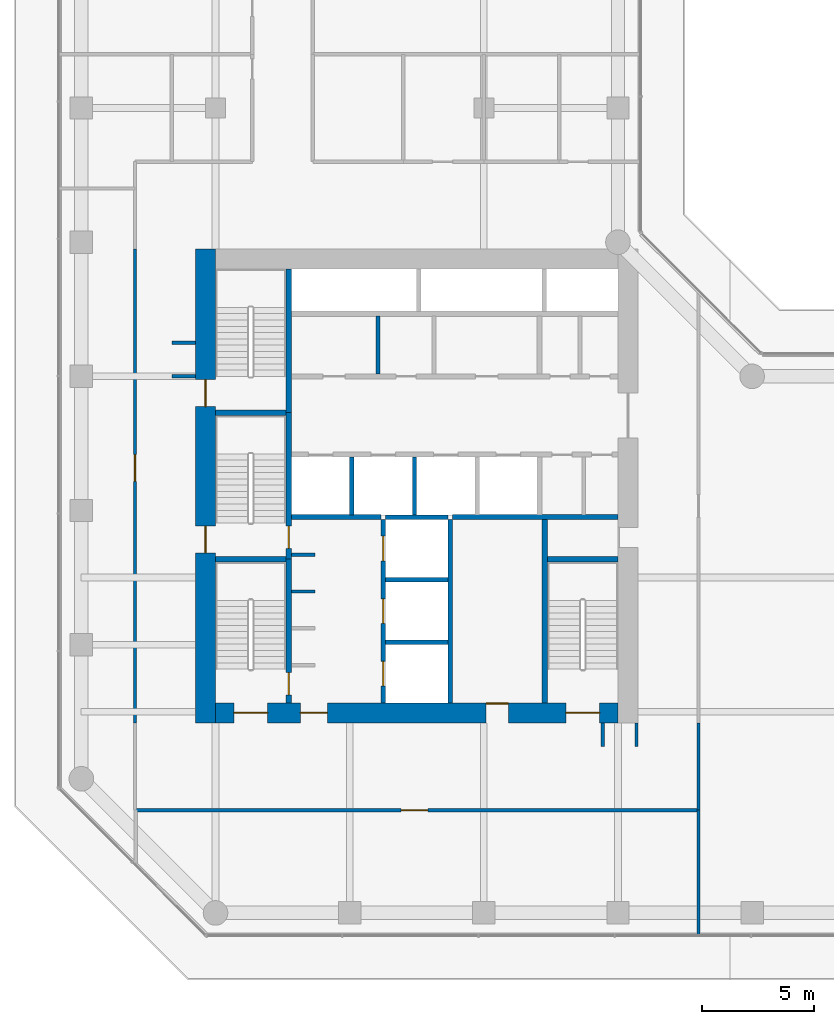
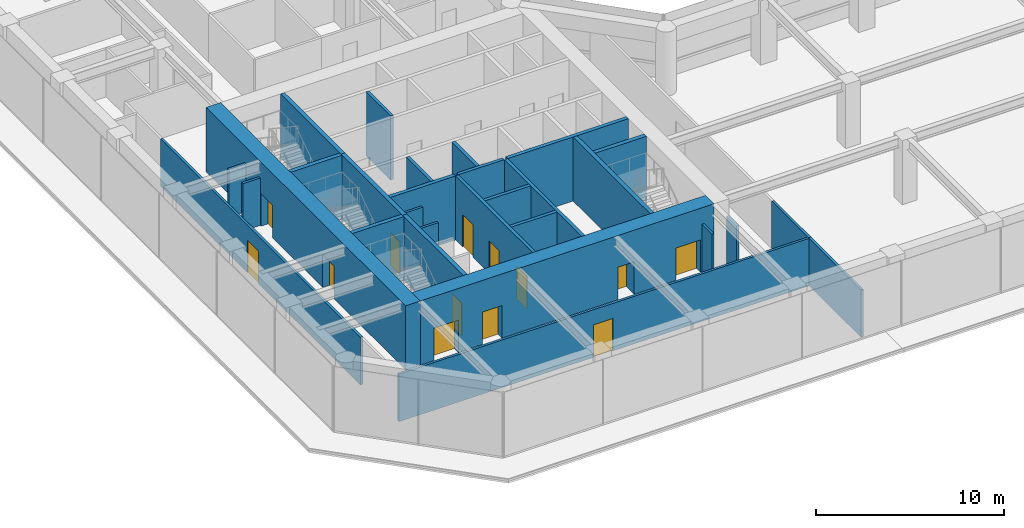
# One storey, part 21 of 24: 29 walls, 13 doors, 13 openings.
"""IFC4 building model written with IfcOpenShell, lengths in metres."""

from ifc_helpers import new_model, si_unit, direction, frame, frame_2d, origin, place, context, subcontext, project, spatial, rectangle, extrude, material, layer, layer_set, type_object, element, fill, save


model = new_model("IFC4")

# Units and contexts
model_context = context("Model", 3, precision=1e-05, world=origin(), true_north=direction((0.0, 1.0)))
body_context = subcontext(model_context, "Body", "Model", "MODEL_VIEW")
ifc_project = project(units=[si_unit("LENGTHUNIT", "METRE"), si_unit("AREAUNIT", "SQUARE_METRE"), si_unit("VOLUMEUNIT", "CUBIC_METRE"), si_unit("PLANEANGLEUNIT", "RADIAN"), si_unit("MASSUNIT", "GRAM", prefix="KILO")], contexts=[model_context])

# Site, building, storey
site_placement = place(None, origin())
site = spatial("IfcSite", under=ifc_project, at=site_placement, CompositionType="ELEMENT")
building_placement = place(site_placement, origin())
building = spatial("IfcBuilding", under=site, at=building_placement, Name="Welwitschia Terrace Campus", CompositionType="ELEMENT")
storey_placement = place(building_placement, frame((0.0, 0.0, 15.5)))
storey = spatial("IfcBuildingStorey", under=building, at=storey_placement, Name="L03", CompositionType="ELEMENT", Elevation=15.5)

# Walls
ifc_material_1 = material(Name="Concrete C32/40", Category="concrete")
ifc_layer_1 = layer(ifc_material_1, 0.175048828125)
ifc_layer_set_1 = layer_set([ifc_layer_1], Name="Concrete C32/40")
wall_type_1 = type_object("IfcWallType", Name="Core partition 175 Concrete C32/40", PredefinedType="PARTITIONING", material=ifc_layer_set_1)
wall_1_placement = place(storey_placement, frame((13.27490234375, 20.10009765625, 0.0), z_axis=(0.0, 0.0, 1.0), x_axis=(0.0, 1.0, 0.0)))
element("IfcWall", 1, at=wall_1_placement, inside=storey, type_object=wall_type_1, Name="Core partition", PredefinedType="PARTITIONING", context=body_context, shape_type="SweptSolid", body=[
    extrude(rectangle(XDim=2.599853515625, YDim=0.175048828125, at=frame_2d((1.2998046875, 0.0))), origin(), (0.0, 0.0, 1.0), 4.14990234375),
])
ifc_material_2 = material(Name="Concrete C32/40", Category="concrete")
ifc_layer_2 = layer(ifc_material_2, 0.22509765625)
ifc_layer_set_2 = layer_set([ifc_layer_2], Name="Concrete C32/40")
wall_type_2 = type_object("IfcWallType", Name="Core partition 225 Concrete C32/40", PredefinedType="PARTITIONING", material=ifc_layer_set_2)
wall_2_placement = place(storey_placement, frame((9.39990234375, 13.699951171875, 0.0), z_axis=(0.0, 0.0, 1.0), x_axis=(1.0, 0.0, 0.0)))
element("IfcWall", 2, at=wall_2_placement, inside=storey, type_object=wall_type_2, Name="Shaft wall", PredefinedType="PARTITIONING", context=body_context, shape_type="SweptSolid", body=[
    extrude(rectangle(XDim=4.0, YDim=0.22509765625, at=frame_2d((2.0, 0.0))), origin(), (0.0, 0.0, 1.0), 4.14990234375),
])
wall_3_placement = place(storey_placement, frame((16.60009765625, 13.699951171875, 0.0), z_axis=(0.0, 0.0, 1.0), x_axis=(1.0, 0.0, 0.0)))
element("IfcWall", 3, at=wall_3_placement, inside=storey, type_object=wall_type_2, Name="Shaft wall", PredefinedType="PARTITIONING", context=body_context, shape_type="SweptSolid", body=[
    extrude(rectangle(XDim=7.39990234375, YDim=0.22509765625, at=frame_2d((3.699951171875, 0.0))), origin(), (0.0, 0.0, 1.0), 4.14990234375),
])
ifc_material_3 = material(Name="Concrete C50/60", Category="concrete")
ifc_layer_3 = layer(ifc_material_3, 0.14990234375)
ifc_layer_set_3 = layer_set([ifc_layer_3], Name="Concrete C50/60")
wall_type_3 = type_object("IfcWallType", Name="Core wall 150 Concrete C50/60", PredefinedType="SHEAR", material=ifc_layer_set_3)
for number, where, z_axis, x_axis, name in (
    (4, (9.39990234375, 10.375, 0.0), (0.0, 0.0, 1.0), (1.0, 0.0, 0.0), "Core wall"),
    (5, (9.39990234375, 12.02490234375, 0.0), (0.0, 0.0, 1.0), (1.0, 0.0, 0.0), "Core wall"),
):
    element("IfcWall", number, at=place(storey_placement, frame(where, z_axis=z_axis, x_axis=x_axis)), inside=storey, type_object=wall_type_3, Name=name, PredefinedType="SHEAR", context=body_context, shape_type="SweptSolid", body=[
        extrude(rectangle(XDim=1.050048828125, YDim=0.14990234375, at=frame_2d((0.52490234375, 0.0))), origin(), (0.0, 0.0, 1.0), 4.14990234375),
    ])
ifc_material_4 = material(Name="Concrete C50/60", Category="concrete")
ifc_layer_4 = layer(ifc_material_4, 0.199951171875)
ifc_layer_set_4 = layer_set([ifc_layer_4], Name="Concrete C50/60")
wall_type_4 = type_object("IfcWallType", Name="Core wall 200 Concrete C50/60", PredefinedType="SHEAR", material=ifc_layer_set_4)
for number, where, z_axis, x_axis, name in (
    (6, (13.60009765625, 8.10009765625, 0.0), (0.0, 0.0, 1.0), (1.0, 0.0, 0.0), "Core wall"),
    (7, (13.60009765625, 10.89990234375, 0.0), (0.0, 0.0, 1.0), (1.0, 0.0, 0.0), "Core wall"),
    (8, (13.60009765625, 13.699951171875, 0.0), (0.0, 0.0, 1.0), (1.0, 0.0, 0.0), "Core wall"),
):
    element("IfcWall", number, at=place(storey_placement, frame(where, z_axis=z_axis, x_axis=x_axis)), inside=storey, type_object=wall_type_4, Name=name, PredefinedType="SHEAR", context=body_context, shape_type="SweptSolid", body=[
        extrude(rectangle(XDim=2.7998046875, YDim=0.199951171875, at=frame_2d((1.39990234375, 0.0))), origin(), (0.0, 0.0, 1.0), 4.14990234375),
    ])

# Wall, openings, doors
wall_4_placement = place(storey_placement, frame((13.5, 5.39990234375, 0.0), z_axis=(0.0, 0.0, 1.0), x_axis=(0.0, 1.0, 0.0)))
wall_4 = element("IfcWall", 9, at=wall_4_placement, inside=storey, type_object=wall_type_4, Name="Core wall", PredefinedType="SHEAR", context=body_context, shape_type="SweptSolid", body=[
    extrude(rectangle(XDim=8.2001953125, YDim=0.199951171875, at=frame_2d((4.10009765625, 0.0))), origin(), (0.0, 0.0, 1.0), 4.14990234375),
])
opening_1_placement = place(wall_4_placement, frame((0.75, 0.0, 0.0)))
opening_1 = element("IfcOpeningElement", 10, at=opening_1_placement, cuts=wall_4, Name="Opening LD", PredefinedType="OPENING", context=body_context, shape_type="SweptSolid", body=[
    extrude(rectangle(XDim=1.10009765625, YDim=2.10009765625, at=frame_2d((0.550048828125, 1.050048828125))), frame((0.0, 0.10986328125, 0.0), z_axis=(0.0, -1.0, 0.0), x_axis=(1.0, 0.0, 0.0)), (0.0, 0.0, 1.0), 0.219970703125),
])
opening_2_placement = place(wall_4_placement, frame((3.550048828125, 0.0, 0.0)))
opening_2 = element("IfcOpeningElement", 11, at=opening_2_placement, cuts=wall_4, Name="Opening LD", PredefinedType="OPENING", context=body_context, shape_type="SweptSolid", body=[
    extrude(rectangle(XDim=1.10009765625, YDim=2.10009765625, at=frame_2d((0.550048828125, 1.050048828125))), frame((0.0, 0.10986328125, 0.0), z_axis=(0.0, -1.0, 0.0), x_axis=(1.0, 0.0, 0.0)), (0.0, 0.0, 1.0), 0.219970703125),
])
opening_3_placement = place(wall_4_placement, frame((6.35009765625, 0.0, 0.0)))
opening_3 = element("IfcOpeningElement", 12, at=opening_3_placement, cuts=wall_4, Name="Opening LD", PredefinedType="OPENING", context=body_context, shape_type="SweptSolid", body=[
    extrude(rectangle(XDim=1.10009765625, YDim=2.10009765625, at=frame_2d((0.550048828125, 1.050048828125))), frame((0.0, 0.10986328125, 0.0), z_axis=(0.0, -1.0, 0.0), x_axis=(1.0, 0.0, 0.0)), (0.0, 0.0, 1.0), 0.219970703125),
])
ifc_material_5 = material(Name="Stainless steel 304", Category="steel")
door_type_1 = type_object("IfcDoorType", Name="Lift landing door", OperationType="DOUBLE_DOOR_SLIDING", PredefinedType="DOOR", material=ifc_material_5)
door_1_placement = place(opening_1_placement, origin())
door_1 = element("IfcDoor", 13, at=door_1_placement, inside=storey, type_object=door_type_1, Name="Landing door FF1", OperationType="DOUBLE_DOOR_SLIDING", OverallHeight=2.10009765625, OverallWidth=1.10009765625, PredefinedType="DOOR", context=body_context, shape_type="SweptSolid", body=[
    extrude(rectangle(XDim=1.10009765625, YDim=2.10009765625, at=frame_2d((0.550048828125, 1.050048828125))), frame((0.0, 0.02490234375, 0.0), z_axis=(0.0, -1.0, 0.0), x_axis=(1.0, 0.0, 0.0)), (0.0, 0.0, 1.0), 0.050048828125),
])
fill(opening_1, door_1)
door_2_placement = place(opening_2_placement, origin())
door_2 = element("IfcDoor", 14, at=door_2_placement, inside=storey, type_object=door_type_1, Name="Landing door FF2", OperationType="DOUBLE_DOOR_SLIDING", OverallHeight=2.10009765625, OverallWidth=1.10009765625, PredefinedType="DOOR", context=body_context, shape_type="SweptSolid", body=[
    extrude(rectangle(XDim=1.10009765625, YDim=2.10009765625, at=frame_2d((0.550048828125, 1.050048828125))), frame((0.0, 0.02490234375, 0.0), z_axis=(0.0, -1.0, 0.0), x_axis=(1.0, 0.0, 0.0)), (0.0, 0.0, 1.0), 0.050048828125),
])
fill(opening_2, door_2)
door_3_placement = place(opening_3_placement, origin())
door_3 = element("IfcDoor", 15, at=door_3_placement, inside=storey, type_object=door_type_1, Name="Landing door SV1", OperationType="DOUBLE_DOOR_SLIDING", OverallHeight=2.10009765625, OverallWidth=1.10009765625, PredefinedType="DOOR", context=body_context, shape_type="SweptSolid", body=[
    extrude(rectangle(XDim=1.10009765625, YDim=2.10009765625, at=frame_2d((0.550048828125, 1.050048828125))), frame((0.0, 0.02490234375, 0.0), z_axis=(0.0, -1.0, 0.0), x_axis=(1.0, 0.0, 0.0)), (0.0, 0.0, 1.0), 0.050048828125),
])
fill(opening_3, door_3)

# Walls
wall_5_placement = place(storey_placement, frame((16.5, 5.39990234375, 0.0), z_axis=(0.0, 0.0, 1.0), x_axis=(0.0, 1.0, 0.0)))
element("IfcWall", 16, at=wall_5_placement, inside=storey, type_object=wall_type_4, Name="Core wall", PredefinedType="SHEAR", context=body_context, shape_type="SweptSolid", body=[
    extrude(rectangle(XDim=8.2001953125, YDim=0.199951171875, at=frame_2d((4.10009765625, 0.0))), origin(), (0.0, 0.0, 1.0), 4.14990234375),
])
ifc_material_6 = material(Name="Concrete C50/60", Category="concrete")
ifc_layer_5 = layer(ifc_material_6, 0.25)
ifc_layer_set_5 = layer_set([ifc_layer_5], Name="Concrete C50/60")
wall_type_5 = type_object("IfcWallType", Name="Core wall 250 Concrete C50/60", PredefinedType="SHEAR", material=ifc_layer_set_5)
for number, where, z_axis, x_axis, name in (
    (17, (6.0, 11.824951171875, 0.0), (0.0, 0.0, 1.0), (1.0, 0.0, 0.0), "Core wall"),
    (18, (20.85009765625, 11.824951171875, 0.0), (0.0, 0.0, 1.0), (1.0, 0.0, 0.0), "Core wall"),
    (19, (6.0, 18.375, 0.0), (0.0, 0.0, 1.0), (1.0, 0.0, 0.0), "Core wall"),
):
    element("IfcWall", number, at=place(storey_placement, frame(where, z_axis=z_axis, x_axis=x_axis)), inside=storey, type_object=wall_type_5, Name=name, PredefinedType="SHEAR", context=body_context, shape_type="SweptSolid", body=[
        extrude(rectangle(XDim=3.14990234375, YDim=0.25, at=frame_2d((1.574951171875, 0.0))), origin(), (0.0, 0.0, 1.0), 4.14990234375),
    ])

# Wall, opening, door
wall_6_placement = place(storey_placement, frame((9.27490234375, 11.824951171875, 0.0), z_axis=(0.0, 0.0, 1.0), x_axis=(0.0, -1.0, 0.0)))
wall_6 = element("IfcWall", 20, at=wall_6_placement, inside=storey, type_object=wall_type_5, Name="Core wall", PredefinedType="SHEAR", context=body_context, shape_type="SweptSolid", body=[
    extrude(rectangle(XDim=6.425048828125, YDim=0.25, at=frame_2d((3.21240234375, 0.0))), origin(), (0.0, 0.0, 1.0), 4.14990234375),
])
opening_4_placement = place(wall_6_placement, frame((5.074951171875, 0.0, 0.0)))
opening_4 = element("IfcOpeningElement", 21, at=opening_4_placement, cuts=wall_6, Name="Opening DS10", PredefinedType="OPENING", context=body_context, shape_type="SweptSolid", body=[
    extrude(rectangle(XDim=1.0, YDim=2.10009765625, at=frame_2d((0.5, 1.050048828125))), frame((0.0, 0.135009765625, 0.0), z_axis=(0.0, -1.0, 0.0), x_axis=(1.0, 0.0, 0.0)), (0.0, 0.0, 1.0), 0.27001953125),
])
ifc_material_7 = material(Name="Steel S275", Category="steel")
door_type_2 = type_object("IfcDoorType", Name="Core door DS10", OperationType="SINGLE_SWING_LEFT", PredefinedType="DOOR", material=ifc_material_7)
door_4_placement = place(opening_4_placement, origin())
door_4 = element("IfcDoor", 22, at=door_4_placement, inside=storey, type_object=door_type_2, Name="Door S1-FL", OperationType="SINGLE_SWING_RIGHT", OverallHeight=2.10009765625, OverallWidth=1.0, PredefinedType="DOOR", context=body_context, shape_type="SweptSolid", body=[
    extrude(rectangle(XDim=1.0, YDim=2.10009765625, at=frame_2d((0.5, 1.050048828125))), frame((0.0, 0.02490234375, 0.0), z_axis=(0.0, -1.0, 0.0), x_axis=(1.0, 0.0, 0.0)), (0.0, 0.0, 1.0), 0.050048828125),
])
fill(opening_4, door_4)

wall_7_placement = place(storey_placement, frame((9.27490234375, 18.375, 0.0), z_axis=(0.0, 0.0, 1.0), x_axis=(0.0, -1.0, 0.0)))
wall_7 = element("IfcWall", 23, at=wall_7_placement, inside=storey, type_object=wall_type_5, Name="Core wall", PredefinedType="SHEAR", context=body_context, shape_type="SweptSolid", body=[
    extrude(rectangle(XDim=6.550048828125, YDim=0.25, at=frame_2d((3.27490234375, 0.0))), origin(), (0.0, 0.0, 1.0), 4.14990234375),
])
opening_5_placement = place(wall_7_placement, frame((5.074951171875, 0.0, 0.0)))
opening_5 = element("IfcOpeningElement", 24, at=opening_5_placement, cuts=wall_7, Name="Opening DS10", PredefinedType="OPENING", context=body_context, shape_type="SweptSolid", body=[
    extrude(rectangle(XDim=1.0, YDim=2.10009765625, at=frame_2d((0.5, 1.050048828125))), frame((0.0, 0.135009765625, 0.0), z_axis=(0.0, -1.0, 0.0), x_axis=(1.0, 0.0, 0.0)), (0.0, 0.0, 1.0), 0.27001953125),
])
door_5_placement = place(opening_5_placement, origin())
door_5 = element("IfcDoor", 25, at=door_5_placement, inside=storey, type_object=door_type_2, Name="Door S3-FL", OperationType="SINGLE_SWING_RIGHT", OverallHeight=2.10009765625, OverallWidth=1.0, PredefinedType="DOOR", context=body_context, shape_type="SweptSolid", body=[
    extrude(rectangle(XDim=1.0, YDim=2.10009765625, at=frame_2d((0.5, 1.050048828125))), frame((0.0, 0.02490234375, 0.0), z_axis=(0.0, -1.0, 0.0), x_axis=(1.0, 0.0, 0.0)), (0.0, 0.0, 1.0), 0.050048828125),
])
fill(opening_5, door_5)

# Walls
wall_8_placement = place(storey_placement, frame((9.27490234375, 18.375, 0.0), z_axis=(0.0, 0.0, 1.0), x_axis=(0.0, 1.0, 0.0)))
element("IfcWall", 26, at=wall_8_placement, inside=storey, type_object=wall_type_5, Name="Core wall", PredefinedType="SHEAR", context=body_context, shape_type="SweptSolid", body=[
    extrude(rectangle(XDim=6.425048828125, YDim=0.25, at=frame_2d((3.21240234375, 0.0))), origin(), (0.0, 0.0, 1.0), 4.14990234375),
])
wall_9_placement = place(storey_placement, frame((20.72509765625, 5.39990234375, 0.0), z_axis=(0.0, 0.0, 1.0), x_axis=(0.0, 1.0, 0.0)))
element("IfcWall", 27, at=wall_9_placement, inside=storey, type_object=wall_type_5, Name="Core wall", PredefinedType="SHEAR", context=body_context, shape_type="SweptSolid", body=[
    extrude(rectangle(XDim=8.2001953125, YDim=0.25, at=frame_2d((4.10009765625, 0.0))), origin(), (0.0, 0.0, 1.0), 4.14990234375),
])

# Wall, openings, doors
ifc_material_8 = material(Name="Concrete C70/85", Category="concrete")
ifc_layer_6 = layer(ifc_material_8, 0.89990234375)
ifc_layer_set_6 = layer_set([ifc_layer_6], Name="Concrete C70/85")
wall_type_6 = type_object("IfcWallType", Name="Core wall 900 Concrete C70/85", PredefinedType="SHEAR", material=ifc_layer_set_6)
wall_10_placement = place(storey_placement, frame((5.550048828125, 4.5, 0.0), z_axis=(0.0, 0.0, 1.0), x_axis=(0.0, 1.0, 0.0)))
wall_10 = element("IfcWall", 28, at=wall_10_placement, inside=storey, type_object=wall_type_6, Name="Core outer wall", PredefinedType="SHEAR", context=body_context, shape_type="SweptSolid", body=[
    extrude(rectangle(XDim=21.199951171875, YDim=0.89990234375, at=frame_2d((10.60009765625, 0.0))), origin(), (0.0, 0.0, 1.0), 4.14990234375),
])
opening_6_placement = place(wall_10_placement, frame((7.60009765625, 0.0, 0.0)))
opening_6 = element("IfcOpeningElement", 29, at=opening_6_placement, cuts=wall_10, Name="Opening DS12", PredefinedType="OPENING", context=body_context, shape_type="SweptSolid", body=[
    extrude(rectangle(XDim=1.199951171875, YDim=2.10009765625, at=frame_2d((0.60009765625, 1.050048828125))), frame((0.0, 0.4599609375, 0.0), z_axis=(0.0, -1.0, 0.0), x_axis=(1.0, 0.0, 0.0)), (0.0, 0.0, 1.0), 0.919921875),
])
opening_7_placement = place(wall_10_placement, frame((14.14990234375, 0.0, 0.0)))
opening_7 = element("IfcOpeningElement", 30, at=opening_7_placement, cuts=wall_10, Name="Opening DS12", PredefinedType="OPENING", context=body_context, shape_type="SweptSolid", body=[
    extrude(rectangle(XDim=1.199951171875, YDim=2.10009765625, at=frame_2d((0.60009765625, 1.050048828125))), frame((0.0, 0.4599609375, 0.0), z_axis=(0.0, -1.0, 0.0), x_axis=(1.0, 0.0, 0.0)), (0.0, 0.0, 1.0), 0.919921875),
])
ifc_material_9 = material(Name="Steel S275", Category="steel")
door_type_3 = type_object("IfcDoorType", Name="Core door DS12", OperationType="SINGLE_SWING_LEFT", PredefinedType="DOOR", material=ifc_material_9)
door_6_placement = place(opening_6_placement, origin())
door_6 = element("IfcDoor", 31, at=door_6_placement, inside=storey, type_object=door_type_3, Name="Door S3-out", OperationType="SINGLE_SWING_LEFT", OverallHeight=2.10009765625, OverallWidth=1.199951171875, PredefinedType="DOOR", context=body_context, shape_type="SweptSolid", body=[
    extrude(rectangle(XDim=1.199951171875, YDim=2.10009765625, at=frame_2d((0.60009765625, 1.050048828125))), frame((0.0, 0.02490234375, 0.0), z_axis=(0.0, -1.0, 0.0), x_axis=(1.0, 0.0, 0.0)), (0.0, 0.0, 1.0), 0.050048828125),
])
fill(opening_6, door_6)
door_7_placement = place(opening_7_placement, origin())
door_7 = element("IfcDoor", 32, at=door_7_placement, inside=storey, type_object=door_type_3, Name="Door S4-out", OperationType="SINGLE_SWING_RIGHT", OverallHeight=2.10009765625, OverallWidth=1.199951171875, PredefinedType="DOOR", context=body_context, shape_type="SweptSolid", body=[
    extrude(rectangle(XDim=1.199951171875, YDim=2.10009765625, at=frame_2d((0.60009765625, 1.050048828125))), frame((0.0, 0.02490234375, 0.0), z_axis=(0.0, -1.0, 0.0), x_axis=(1.0, 0.0, 0.0)), (0.0, 0.0, 1.0), 0.050048828125),
])
fill(opening_7, door_7)

wall_11_placement = place(storey_placement, frame((24.0, 4.949951171875, 0.0), z_axis=(0.0, 0.0, 1.0), x_axis=(-1.0, 0.0, 0.0)))
wall_11 = element("IfcWall", 33, at=wall_11_placement, inside=storey, type_object=wall_type_6, Name="Core outer wall", PredefinedType="SHEAR", context=body_context, shape_type="SweptSolid", body=[
    extrude(rectangle(XDim=18.0, YDim=0.89990234375, at=frame_2d((9.0, 0.0))), origin(), (0.0, 0.0, 1.0), 4.14990234375),
])
opening_8_placement = place(wall_11_placement, frame((15.675048828125, 0.0, 0.0)))
opening_8 = element("IfcOpeningElement", 34, at=opening_8_placement, cuts=wall_11, Name="Opening DS15", PredefinedType="OPENING", context=body_context, shape_type="SweptSolid", body=[
    extrude(rectangle(XDim=1.5, YDim=2.10009765625, at=frame_2d((0.75, 1.050048828125))), frame((0.0, 0.4599609375, 0.0), z_axis=(0.0, -1.0, 0.0), x_axis=(1.0, 0.0, 0.0)), (0.0, 0.0, 1.0), 0.919921875),
])
opening_9_placement = place(wall_11_placement, frame((0.824951171875, 0.0, 0.0)))
opening_9 = element("IfcOpeningElement", 35, at=opening_9_placement, cuts=wall_11, Name="Opening DS15", PredefinedType="OPENING", context=body_context, shape_type="SweptSolid", body=[
    extrude(rectangle(XDim=1.5, YDim=2.10009765625, at=frame_2d((0.75, 1.050048828125))), frame((0.0, 0.4599609375, 0.0), z_axis=(0.0, -1.0, 0.0), x_axis=(1.0, 0.0, 0.0)), (0.0, 0.0, 1.0), 0.919921875),
])
opening_10_placement = place(wall_11_placement, frame((13.0, 0.0, 0.0)))
opening_10 = element("IfcOpeningElement", 36, at=opening_10_placement, cuts=wall_11, Name="Opening DF12", PredefinedType="OPENING", context=body_context, shape_type="SweptSolid", body=[
    extrude(rectangle(XDim=1.199951171875, YDim=2.10009765625, at=frame_2d((0.60009765625, 1.050048828125))), frame((0.0, 0.4599609375, 0.0), z_axis=(0.0, -1.0, 0.0), x_axis=(1.0, 0.0, 0.0)), (0.0, 0.0, 1.0), 0.919921875),
])
opening_11_placement = place(wall_11_placement, frame((4.89990234375, 0.0, 0.0)))
opening_11 = element("IfcOpeningElement", 37, at=opening_11_placement, cuts=wall_11, Name="Opening DR10", PredefinedType="OPENING", context=body_context, shape_type="SweptSolid", body=[
    extrude(rectangle(XDim=1.0, YDim=2.10009765625, at=frame_2d((0.5, 1.050048828125))), frame((0.0, 0.4599609375, 0.0), z_axis=(0.0, -1.0, 0.0), x_axis=(1.0, 0.0, 0.0)), (0.0, 0.0, 1.0), 0.919921875),
])
ifc_material_10 = material(Name="Steel S275", Category="steel")
door_type_4 = type_object("IfcDoorType", Name="Core door DF12", OperationType="SINGLE_SWING_LEFT", PredefinedType="DOOR", material=ifc_material_10)
door_8_placement = place(opening_10_placement, origin())
door_8 = element("IfcDoor", 38, at=door_8_placement, inside=storey, type_object=door_type_4, Name="Door FL-out", OperationType="SINGLE_SWING_RIGHT", OverallHeight=2.10009765625, OverallWidth=1.199951171875, PredefinedType="DOOR", context=body_context, shape_type="SweptSolid", body=[
    extrude(rectangle(XDim=1.199951171875, YDim=2.10009765625, at=frame_2d((0.60009765625, 1.050048828125))), frame((0.0, 0.02490234375, 0.0), z_axis=(0.0, -1.0, 0.0), x_axis=(1.0, 0.0, 0.0)), (0.0, 0.0, 1.0), 0.050048828125),
])
fill(opening_10, door_8)
ifc_material_11 = material(Name="Steel S275", Category="steel")
door_type_5 = type_object("IfcDoorType", Name="Core door DR10", OperationType="SINGLE_SWING_LEFT", PredefinedType="DOOR", material=ifc_material_11)
door_9_placement = place(opening_11_placement, origin())
door_9 = element("IfcDoor", 39, at=door_9_placement, inside=storey, type_object=door_type_5, Name="Door F1-out", OperationType="SINGLE_SWING_LEFT", OverallHeight=2.10009765625, OverallWidth=1.0, PredefinedType="DOOR", context=body_context, shape_type="SweptSolid", body=[
    extrude(rectangle(XDim=1.0, YDim=2.10009765625, at=frame_2d((0.5, 1.050048828125))), frame((0.0, -0.39013671875, 0.0), z_axis=(0.0, -1.0, 0.0), x_axis=(1.0, 0.0, 0.0)), (0.0, 0.0, 1.0), 0.050048828125),
])
fill(opening_11, door_9)
ifc_material_12 = material(Name="Steel S275", Category="steel")
door_type_6 = type_object("IfcDoorType", Name="Core door DS15", OperationType="DOUBLE_DOOR_SINGLE_SWING", PredefinedType="DOOR", material=ifc_material_12)
door_10_placement = place(opening_8_placement, origin())
door_10 = element("IfcDoor", 40, at=door_10_placement, inside=storey, type_object=door_type_6, Name="Door S1-out", OperationType="DOUBLE_DOOR_SINGLE_SWING", OverallHeight=2.10009765625, OverallWidth=1.5, PredefinedType="DOOR", context=body_context, shape_type="SweptSolid", body=[
    extrude(rectangle(XDim=1.5, YDim=2.10009765625, at=frame_2d((0.75, 1.050048828125))), frame((0.0, 0.02490234375, 0.0), z_axis=(0.0, -1.0, 0.0), x_axis=(1.0, 0.0, 0.0)), (0.0, 0.0, 1.0), 0.050048828125),
])
fill(opening_8, door_10)
door_11_placement = place(opening_9_placement, origin())
door_11 = element("IfcDoor", 41, at=door_11_placement, inside=storey, type_object=door_type_6, Name="Door S2-out", OperationType="DOUBLE_DOOR_SINGLE_SWING", OverallHeight=2.10009765625, OverallWidth=1.5, PredefinedType="DOOR", context=body_context, shape_type="SweptSolid", body=[
    extrude(rectangle(XDim=1.5, YDim=2.10009765625, at=frame_2d((0.75, 1.050048828125))), frame((0.0, 0.02490234375, 0.0), z_axis=(0.0, -1.0, 0.0), x_axis=(1.0, 0.0, 0.0)), (0.0, 0.0, 1.0), 0.050048828125),
])
fill(opening_9, door_11)

# Wall, opening, door
ifc_material_13 = material(Name="Gypsum board on steel studs", Category="steel")
ifc_layer_7 = layer(ifc_material_13, 0.14990234375)
ifc_layer_set_7 = layer_set([ifc_layer_7], Name="Gypsum board on steel studs")
wall_type_7 = type_object("IfcWallType", Name="Corridor partition 150 EI 30", PredefinedType="PARTITIONING", material=ifc_layer_set_7)
wall_12_placement = place(storey_placement, frame((2.39990234375, 4.5, 0.0), z_axis=(0.0, 0.0, 1.0), x_axis=(0.0, 1.0, 0.0)))
wall_12 = element("IfcWall", 42, at=wall_12_placement, inside=storey, type_object=wall_type_7, Name="Partition", PredefinedType="PARTITIONING", context=body_context, shape_type="SweptSolid", body=[
    extrude(rectangle(XDim=21.199951171875, YDim=0.14990234375, at=frame_2d((10.60009765625, 0.0))), origin(), (0.0, 0.0, 1.0), 3.080078125),
])
opening_12_placement = place(wall_12_placement, frame((10.800048828125, 0.0, 0.0)))
opening_12 = element("IfcOpeningElement", 43, at=opening_12_placement, cuts=wall_12, Name="Opening DI12", PredefinedType="OPENING", context=body_context, shape_type="SweptSolid", body=[
    extrude(rectangle(XDim=1.199951171875, YDim=2.10009765625, at=frame_2d((0.60009765625, 1.050048828125))), frame((0.0, 0.0849609375, 0.0), z_axis=(0.0, -1.0, 0.0), x_axis=(1.0, 0.0, 0.0)), (0.0, 0.0, 1.0), 0.169921875),
])
ifc_material_14 = material(Name="Timber veneered door", Category="wood")
door_type_7 = type_object("IfcDoorType", Name="Interior door DI12", OperationType="NOTDEFINED", PredefinedType="DOOR", material=ifc_material_14)
door_12_placement = place(opening_12_placement, origin())
door_12 = element("IfcDoor", 44, at=door_12_placement, inside=storey, type_object=door_type_7, Name="Door L03 109", OperationType="SINGLE_SWING_RIGHT", OverallHeight=2.10009765625, OverallWidth=1.199951171875, PredefinedType="DOOR", context=body_context, shape_type="SweptSolid", body=[
    extrude(rectangle(XDim=1.199951171875, YDim=2.10009765625, at=frame_2d((0.60009765625, 1.050048828125))), frame((0.0, 0.02490234375, 0.0), z_axis=(0.0, -1.0, 0.0), x_axis=(1.0, 0.0, 0.0)), (0.0, 0.0, 1.0), 0.050048828125),
])
fill(opening_12, door_12)

# Walls
for number, where, z_axis, x_axis, name in (
    (45, (4.050048828125, 20.0, 0.0), (0.0, 0.0, 1.0), (1.0, 0.0, 0.0), "Partition"),
    (46, (4.050048828125, 21.5, 0.0), (0.0, 0.0, 1.0), (1.0, 0.0, 0.0), "Partition"),
    (47, (23.320068359375, 3.449951171875, 0.0), (0.0, 0.0, 1.0), (0.0, 1.0, 0.0), "Partition"),
    (48, (24.830078125, 3.449951171875, 0.0), (0.0, 0.0, 1.0), (0.0, 1.0, 0.0), "Partition"),
):
    element("IfcWall", number, at=place(storey_placement, frame(where, z_axis=z_axis, x_axis=x_axis)), inside=storey, type_object=wall_type_7, Name=name, PredefinedType="PARTITIONING", context=body_context, shape_type="SweptSolid", body=[
        extrude(rectangle(XDim=1.050048828125, YDim=0.14990234375, at=frame_2d((0.52490234375, 0.0))), origin(), (0.0, 0.0, 1.0), 3.080078125),
    ])
wall_13_placement = place(storey_placement, frame((27.60009765625, -4.969970703125, 0.0), z_axis=(0.0, 0.0, 1.0), x_axis=(0.0, 1.0, 0.0)))
element("IfcWall", 49, at=wall_13_placement, inside=storey, type_object=wall_type_7, Name="Partition", PredefinedType="PARTITIONING", context=body_context, shape_type="SweptSolid", body=[
    extrude(rectangle(XDim=5.570068359375, YDim=0.14990234375, at=frame_2d((2.78515625, 0.0))), origin(), (0.0, 0.0, 1.0), 3.080078125),
])

# Wall, opening, door
wall_14_placement = place(storey_placement, frame((27.60009765625, 0.60009765625, 0.0), z_axis=(0.0, 0.0, 1.0), x_axis=(-1.0, 0.0, 0.0)))
wall_14 = element("IfcWall", 50, at=wall_14_placement, inside=storey, type_object=wall_type_7, Name="Partition", PredefinedType="PARTITIONING", context=body_context, shape_type="SweptSolid", body=[
    extrude(rectangle(XDim=25.2001953125, YDim=0.14990234375, at=frame_2d((12.60009765625, 0.0))), origin(), (0.0, 0.0, 1.0), 3.080078125),
])
opening_13_placement = place(wall_14_placement, frame((12.10009765625, 0.0, 0.0)))
opening_13 = element("IfcOpeningElement", 51, at=opening_13_placement, cuts=wall_14, Name="Opening DI12", PredefinedType="OPENING", context=body_context, shape_type="SweptSolid", body=[
    extrude(rectangle(XDim=1.199951171875, YDim=2.10009765625, at=frame_2d((0.60009765625, 1.050048828125))), frame((0.0, 0.0849609375, 0.0), z_axis=(0.0, -1.0, 0.0), x_axis=(1.0, 0.0, 0.0)), (0.0, 0.0, 1.0), 0.169921875),
])
door_13_placement = place(opening_13_placement, origin())
door_13 = element("IfcDoor", 52, at=door_13_placement, inside=storey, type_object=door_type_7, Name="Door L03 119", OperationType="SINGLE_SWING_RIGHT", OverallHeight=2.10009765625, OverallWidth=1.199951171875, PredefinedType="DOOR", context=body_context, shape_type="SweptSolid", body=[
    extrude(rectangle(XDim=1.199951171875, YDim=2.10009765625, at=frame_2d((0.60009765625, 1.050048828125))), frame((0.0, 0.02490234375, 0.0), z_axis=(0.0, -1.0, 0.0), x_axis=(1.0, 0.0, 0.0)), (0.0, 0.0, 1.0), 0.050048828125),
])
fill(opening_13, door_13)

# Walls
wall_15_placement = place(storey_placement, frame((27.60009765625, 0.60009765625, 0.0), z_axis=(0.0, 0.0, 1.0), x_axis=(0.0, 1.0, 0.0)))
element("IfcWall", 53, at=wall_15_placement, inside=storey, type_object=wall_type_7, Name="Partition", PredefinedType="PARTITIONING", context=body_context, shape_type="SweptSolid", body=[
    extrude(rectangle(XDim=3.89990234375, YDim=0.14990234375, at=frame_2d((1.949951171875, 0.0))), origin(), (0.0, 0.0, 1.0), 3.080078125),
])
ifc_material_15 = material(Name="Concrete C32/40", Category="concrete")
ifc_layer_8 = layer(ifc_material_15, 0.199951171875)
ifc_layer_set_8 = layer_set([ifc_layer_8], Name="Concrete C32/40")
wall_type_8 = type_object("IfcWallType", Name="Shaft wall 200 Concrete C32/40", PredefinedType="SOLIDWALL", material=ifc_layer_set_8)
for number, where, z_axis, x_axis, name in (
    (54, (12.10009765625, 13.800048828125, 0.0), (0.0, 0.0, 1.0), (0.0, 1.0, 0.0), "Shaft wall"),
    (55, (14.89990234375, 13.800048828125, 0.0), (0.0, 0.0, 1.0), (0.0, 1.0, 0.0), "Shaft wall"),
):
    element("IfcWall", number, at=place(storey_placement, frame(where, z_axis=z_axis, x_axis=x_axis)), inside=storey, type_object=wall_type_8, Name=name, PredefinedType="SOLIDWALL", context=body_context, shape_type="SweptSolid", body=[
        extrude(rectangle(XDim=2.599853515625, YDim=0.199951171875, at=frame_2d((1.2998046875, 0.0))), origin(), (0.0, 0.0, 1.0), 4.14990234375),
    ])

save(model, "model.ifc")
